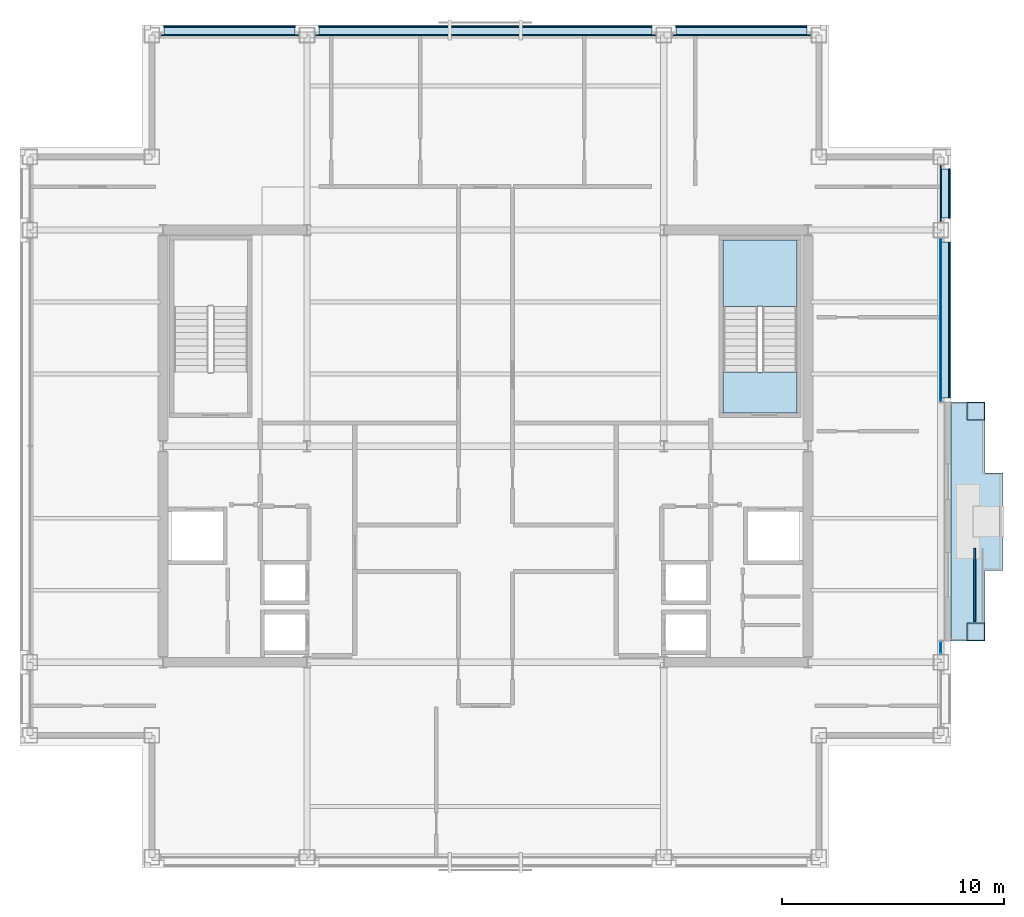
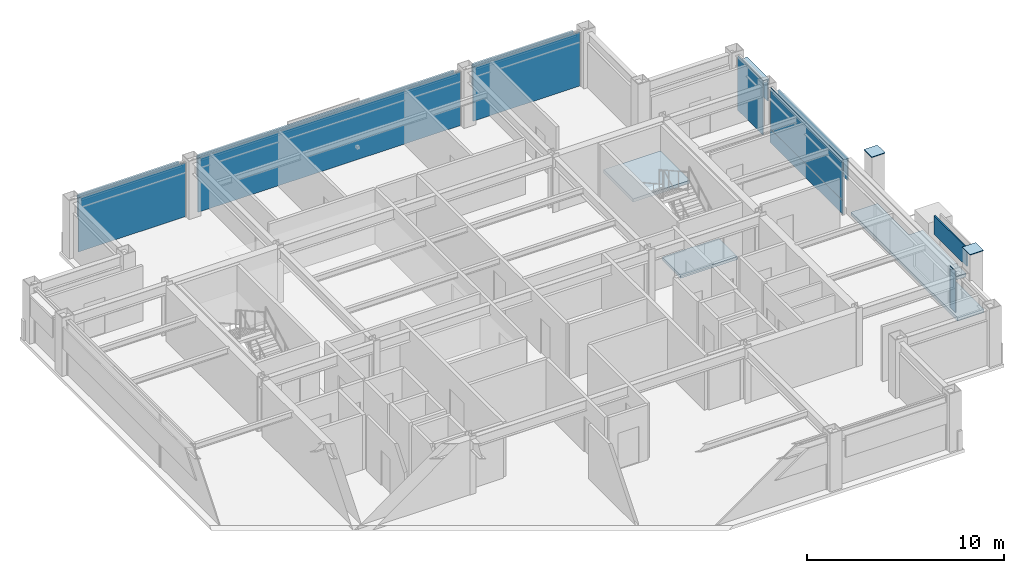
# One storey, part 24 of 30: 20 plates, 3 slabs, 7 elements without a shape of their own.
"""IFC4 building model written with IfcOpenShell, lengths in metres."""

from ifc_helpers import new_model, si_unit, direction, frame, origin, origin_2d, place, context, subcontext, project, spatial, polyline, rectangle, outline, extrude, material, layer, layer_set, type_object, element, aggregate, save


model = new_model("IFC4")

# Units and contexts
model_context = context("Model", 3, precision=1e-05, world=origin(), true_north=direction((0.0, 1.0)))
body_context = subcontext(model_context, "Body", "Model", "MODEL_VIEW")
ifc_project = project(units=[si_unit("LENGTHUNIT", "METRE"), si_unit("AREAUNIT", "SQUARE_METRE"), si_unit("VOLUMEUNIT", "CUBIC_METRE"), si_unit("PLANEANGLEUNIT", "RADIAN"), si_unit("MASSUNIT", "GRAM", prefix="KILO")], contexts=[model_context])

# Site, building, storey
site_placement = place(None, origin())
site = spatial("IfcSite", under=ifc_project, at=site_placement, CompositionType="ELEMENT")
building_placement = place(site_placement, origin())
building = spatial("IfcBuilding", under=site, at=building_placement, Name="Brelmoor Portico Tower", CompositionType="ELEMENT")
storey_placement = place(building_placement, frame((0.0, 0.0, 198.300048828125)))
storey = spatial("IfcBuildingStorey", under=building, at=storey_placement, Name="L52", CompositionType="ELEMENT", Elevation=198.300048828125)

# Plates
ifc_material_1 = material(Name="Steel Q355B", Category="steel")
ifc_layer_1 = layer(ifc_material_1, 0.044921875)
ifc_layer_set_1 = layer_set([ifc_layer_1], Name="Steel Q355B")
plate_type_1 = type_object("IfcPlateType", Name="PT-CAP-650", PredefinedType="SHEET", material=ifc_layer_set_1)
for number, where, z_axis, x_axis, name in (
    (1, (22.1298828125, -8.3798828125, 3.599853515625), (0.0, 0.0, 1.0), (0.0, 1.0, 0.0), "L52 Proud Picture-Frame Pier PFJ-E1 Welded Head Cap Plate"),
    (2, (22.1298828125, 1.580078125, 3.599853515625), (0.0, 0.0, 1.0), (0.0, 1.0, 0.0), "L52 Proud Picture-Frame Pier PFJ-E2 Welded Head Cap Plate"),
):
    element("IfcPlate", number, at=place(storey_placement, frame(where, z_axis=z_axis, x_axis=x_axis)), inside=storey, type_object=plate_type_1, Name=name, PredefinedType="SHEET", context=body_context, shape_type="SweptSolid", body=[
        extrude(rectangle(XDim=0.7900390625, YDim=0.7900390625, at=origin_2d()), origin(), (0.0, 0.0, 1.0), 0.0400390625),
    ])

# Curtain wall, plate
ifc_material_2 = material(Name="Anodised Aluminium Alloy 6063-T6", Category="aluminium")
ifc_layer_2 = layer(ifc_material_2, 0.179931640625)
ifc_layer_set_2 = layer_set([ifc_layer_2], Name="Anodised Aluminium Alloy 6063-T6")
curtain_wall_type_1 = type_object("IfcCurtainWallType", Name="CW-TOWER-Z3", PredefinedType="NOTDEFINED", material=ifc_layer_set_2)
curtain_wall_1_placement = place(storey_placement, origin())
curtain_wall_1 = element("IfcCurtainWall", 3, at=curtain_wall_1_placement, inside=storey, type_object=curtain_wall_type_1, Name="L52 Curtain Wall CW-L52-4L-2", PredefinedType="NOTDEFINED")
ifc_material_3 = material(Name="Double-Silver Low-E Insulated Glazing", Category="glass")
ifc_layer_3 = layer(ifc_material_3, 0.035888671875)
ifc_layer_set_3 = layer_set([ifc_layer_3], Name="Double-Silver Low-E Insulated Glazing")
plate_type_2 = type_object("IfcPlateType", Name="PT-CW-GLASS", PredefinedType="CURTAIN_PANEL", material=ifc_layer_set_3)
plate_1_placement = place(storey_placement, frame((20.550048828125, -9.094970703125, 0.85009765625), z_axis=(0.0, 0.0, 1.0), x_axis=(0.0, 1.0, 0.0)))
plate_1 = element("IfcPlate", 4, at=plate_1_placement, type_object=plate_type_2, Name="CW-L52-4L-2 Vision Glass Panel 00", PredefinedType="CURTAIN_PANEL", context=body_context, shape_type="SweptSolid", body=[
    extrude(rectangle(XDim=0.56005859375, YDim=0.035888671875, at=origin_2d()), origin(), (0.0, 0.0, 1.0), 2.550048828125),
])
aggregate(curtain_wall_1, [plate_1])

curtain_wall_2_placement = place(storey_placement, origin())
curtain_wall_2 = element("IfcCurtainWall", 5, at=curtain_wall_2_placement, inside=storey, type_object=curtain_wall_type_1, Name="L52 Curtain Wall CW-L52-4R-1", PredefinedType="NOTDEFINED")
plate_2_placement = place(storey_placement, frame((20.550048828125, 5.695068359375, 0.85009765625), z_axis=(0.0, 0.0, 1.0), x_axis=(0.0, 1.0, 0.0)))
plate_2 = element("IfcPlate", 6, at=plate_2_placement, type_object=plate_type_2, Name="CW-L52-4R-1 Vision Glass Panel 00", PredefinedType="CURTAIN_PANEL", context=body_context, shape_type="SweptSolid", body=[
    extrude(rectangle(XDim=7.360107421875, YDim=0.035888671875, at=origin_2d()), origin(), (0.0, 0.0, 1.0), 2.550048828125),
])

ifc_layer_4 = layer(ifc_material_2, 0.179931640625)
ifc_layer_set_4 = layer_set([ifc_layer_4], Name="Anodised Aluminium Alloy 6063-T6")
curtain_wall_type_2 = type_object("IfcCurtainWallType", Name="CW-TOWER-Z3-XB", PredefinedType="NOTDEFINED", material=ifc_layer_set_4)
curtain_wall_3_placement = place(storey_placement, origin())
curtain_wall_3 = element("IfcCurtainWall", 7, at=curtain_wall_3_placement, inside=storey, type_object=curtain_wall_type_2, Name="L52 Curtain Wall CW-L52-02-1", PredefinedType="NOTDEFINED")
ifc_material_4 = material(Name="Pale Champagne Anodised Aluminium Panel", Category="aluminium")
ifc_layer_5 = layer(ifc_material_4, 0.050048828125)
ifc_layer_set_5 = layer_set([ifc_layer_5], Name="Pale Champagne Anodised Aluminium Panel")
plate_type_3 = type_object("IfcPlateType", Name="PT-CW-SPANDREL", PredefinedType="SHEET", material=ifc_layer_set_5)
plate_3_placement = place(storey_placement, frame((-11.550048828125, 18.550048828125, 0.0), z_axis=(0.0, 0.0, 1.0), x_axis=(1.0, 0.0, 0.0)))
plate_3 = element("IfcPlate", 8, at=plate_3_placement, type_object=plate_type_3, Name="CW-L52-02-1 Spandrel Panel 00", PredefinedType="SHEET", context=body_context, shape_type="SweptSolid", body=[
    extrude(rectangle(XDim=6.25, YDim=0.050048828125, at=origin_2d()), origin(), (0.0, 0.0, 1.0), 3.33740234375),
])
aggregate(curtain_wall_3, [plate_3])

curtain_wall_4_placement = place(storey_placement, origin())
curtain_wall_4 = element("IfcCurtainWall", 9, at=curtain_wall_4_placement, inside=storey, type_object=curtain_wall_type_2, Name="L52 Curtain Wall CW-L52-02-2", PredefinedType="NOTDEFINED")
plate_4_placement = place(storey_placement, frame((0.0, 18.550048828125, 0.0), z_axis=(0.0, 0.0, 1.0), x_axis=(1.0, 0.0, 0.0)))
plate_4 = element("IfcPlate", 10, at=plate_4_placement, type_object=plate_type_3, Name="CW-L52-02-2 Spandrel Panel 00", PredefinedType="SHEET", context=body_context, shape_type="SweptSolid", body=[
    extrude(rectangle(XDim=15.35009765625, YDim=0.050048828125, at=origin_2d()), origin(), (0.0, 0.0, 1.0), 3.33740234375),
])
aggregate(curtain_wall_4, [plate_4])

curtain_wall_5_placement = place(storey_placement, origin())
curtain_wall_5 = element("IfcCurtainWall", 11, at=curtain_wall_5_placement, inside=storey, type_object=curtain_wall_type_2, Name="L52 Curtain Wall CW-L52-02-3", PredefinedType="NOTDEFINED")
plate_5_placement = place(storey_placement, frame((11.550048828125, 18.550048828125, 0.0), z_axis=(0.0, 0.0, 1.0), x_axis=(1.0, 0.0, 0.0)))
plate_5 = element("IfcPlate", 12, at=plate_5_placement, type_object=plate_type_3, Name="CW-L52-02-3 Spandrel Panel 00", PredefinedType="SHEET", context=body_context, shape_type="SweptSolid", body=[
    extrude(rectangle(XDim=6.25, YDim=0.050048828125, at=origin_2d()), origin(), (0.0, 0.0, 1.0), 3.33740234375),
])
aggregate(curtain_wall_5, [plate_5])

# Plate
plate_6_placement = place(storey_placement, frame((20.550048828125, 5.695068359375, 0.0), z_axis=(0.0, 0.0, 1.0), x_axis=(0.0, 1.0, 0.0)))
plate_6 = element("IfcPlate", 13, at=plate_6_placement, type_object=plate_type_3, Name="CW-L52-4R-1 Spandrel Panel 00", PredefinedType="SHEET", context=body_context, shape_type="SweptSolid", body=[
    extrude(rectangle(XDim=7.360107421875, YDim=0.050048828125, at=origin_2d()), origin(), (0.0, 0.0, 1.0), 0.85009765625),
])

aggregate(curtain_wall_2, [plate_6, plate_2])

# Curtain wall, plate
curtain_wall_6_placement = place(storey_placement, origin())
curtain_wall_6 = element("IfcCurtainWall", 14, at=curtain_wall_6_placement, inside=storey, type_object=curtain_wall_type_2, Name="L52 Curtain Wall CW-L52-4R-2", PredefinedType="NOTDEFINED")
plate_7_placement = place(storey_placement, frame((20.550048828125, 11.39990234375, 0.0), z_axis=(0.0, 0.0, 1.0), x_axis=(0.0, 1.0, 0.0)))
plate_7 = element("IfcPlate", 15, at=plate_7_placement, type_object=plate_type_3, Name="CW-L52-4R-2 Spandrel Panel 00", PredefinedType="SHEET", context=body_context, shape_type="SweptSolid", body=[
    extrude(rectangle(XDim=2.550048828125, YDim=0.050048828125, at=origin_2d()), origin(), (0.0, 0.0, 1.0), 3.33740234375),
])
aggregate(curtain_wall_6, [plate_7])

# Plates
ifc_material_5 = material(Name="Powder-Coated Aluminium Shuttered Jalousie Louvre", Category="aluminium")
ifc_layer_6 = layer(ifc_material_5, 0.06005859375)
ifc_layer_set_6 = layer_set([ifc_layer_6], Name="Powder-Coated Aluminium Shuttered Jalousie Louvre")
plate_type_4 = type_object("IfcPlateType", Name="PT-JALOUSIE-SHUTTER", PredefinedType="SHEET", material=ifc_layer_set_6)
plate_8_placement = place(storey_placement, frame((-11.550048828125, 18.929931640625, 1.8740234375), z_axis=(0.0, 0.0, 1.0), x_axis=(1.0, 0.0, 0.0)))
element("IfcPlate", 16, at=plate_8_placement, inside=storey, type_object=plate_type_4, Name="CW-L52-02-1 Perforated Jalousie Solar Screen", PredefinedType="SHEET", context=body_context, shape_type="SweptSolid", body=[
    extrude(rectangle(XDim=5.919921875, YDim=0.06494140625, at=origin_2d()), origin(), (0.0, 0.0, 1.0), 1.325927734375),
])
plate_9_placement = place(storey_placement, frame((0.0, 18.929931640625, 1.8740234375), z_axis=(0.0, 0.0, 1.0), x_axis=(1.0, 0.0, 0.0)))
element("IfcPlate", 17, at=plate_9_placement, inside=storey, type_object=plate_type_4, Name="CW-L52-02-2 Perforated Jalousie Solar Screen", PredefinedType="SHEET", context=body_context, shape_type="SweptSolid", body=[
    extrude(rectangle(XDim=15.02001953125, YDim=0.06494140625, at=origin_2d()), origin(), (0.0, 0.0, 1.0), 1.325927734375),
])
plate_10_placement = place(storey_placement, frame((11.550048828125, 18.929931640625, 1.8740234375), z_axis=(0.0, 0.0, 1.0), x_axis=(1.0, 0.0, 0.0)))
element("IfcPlate", 18, at=plate_10_placement, inside=storey, type_object=plate_type_4, Name="CW-L52-02-3 Perforated Jalousie Solar Screen", PredefinedType="SHEET", context=body_context, shape_type="SweptSolid", body=[
    extrude(rectangle(XDim=5.919921875, YDim=0.06494140625, at=origin_2d()), origin(), (0.0, 0.0, 1.0), 1.325927734375),
])
plate_11_placement = place(storey_placement, frame((20.929931640625, 5.695068359375, 1.8740234375), z_axis=(0.0, 0.0, 1.0), x_axis=(0.0, 1.0, 0.0)))
element("IfcPlate", 19, at=plate_11_placement, inside=storey, type_object=plate_type_4, Name="CW-L52-4R-1 Perforated Jalousie Solar Screen", PredefinedType="SHEET", context=body_context, shape_type="SweptSolid", body=[
    extrude(rectangle(XDim=7.030029296875, YDim=0.06494140625, at=origin_2d()), origin(), (0.0, 0.0, 1.0), 1.325927734375),
])
plate_12_placement = place(storey_placement, frame((20.929931640625, 11.39990234375, 1.8740234375), z_axis=(0.0, 0.0, 1.0), x_axis=(0.0, 1.0, 0.0)))
element("IfcPlate", 20, at=plate_12_placement, inside=storey, type_object=plate_type_4, Name="CW-L52-4R-2 Perforated Jalousie Solar Screen", PredefinedType="SHEET", context=body_context, shape_type="SweptSolid", body=[
    extrude(rectangle(XDim=2.219970703125, YDim=0.06494140625, at=origin_2d()), origin(), (0.0, 0.0, 1.0), 1.325927734375),
])
plate_13_placement = place(storey_placement, frame((22.080078125, -6.25, 2.27490234375), z_axis=(0.0, 0.0, 1.0), x_axis=(0.0, 1.0, 0.0)))
element("IfcPlate", 21, at=plate_13_placement, inside=storey, type_object=plate_type_4, Name="L52 Shuttered Veranda Screen E", PredefinedType="SHEET", context=body_context, shape_type="SweptSolid", body=[
    extrude(rectangle(XDim=3.300048828125, YDim=0.080078125, at=origin_2d()), origin(), (0.0, 0.0, 1.0), 1.14990234375),
])
ifc_material_6 = material(Name="Pale Champagne Perforated Aluminium Solar Screen", Category="aluminium")
ifc_layer_7 = layer(ifc_material_6, 0.054931640625)
ifc_layer_set_7 = layer_set([ifc_layer_7], Name="Pale Champagne Perforated Aluminium Solar Screen")
plate_type_5 = type_object("IfcPlateType", Name="PT-SOLAR-LOUVRE", PredefinedType="SHEET", material=ifc_layer_set_7)
plate_14_placement = place(storey_placement, frame((-11.550048828125, 18.760009765625, 3.08984375), z_axis=(0.0, 0.0, 1.0), x_axis=(1.0, 0.0, 0.0)))
element("IfcPlate", 22, at=plate_14_placement, inside=storey, type_object=plate_type_5, Name="CW-L52-02-1 Caribbean Brise-Soleil Solar Screen", PredefinedType="SHEET", context=body_context, shape_type="SweptSolid", body=[
    extrude(rectangle(XDim=5.919921875, YDim=0.4599609375, at=origin_2d()), origin(), (0.0, 0.0, 1.0), 0.139892578125),
])
plate_15_placement = place(storey_placement, frame((0.0, 18.760009765625, 3.08984375), z_axis=(0.0, 0.0, 1.0), x_axis=(1.0, 0.0, 0.0)))
element("IfcPlate", 23, at=plate_15_placement, inside=storey, type_object=plate_type_5, Name="CW-L52-02-2 Caribbean Brise-Soleil Solar Screen", PredefinedType="SHEET", context=body_context, shape_type="SweptSolid", body=[
    extrude(rectangle(XDim=15.02001953125, YDim=0.4599609375, at=origin_2d()), origin(), (0.0, 0.0, 1.0), 0.139892578125),
])
plate_16_placement = place(storey_placement, frame((11.550048828125, 18.760009765625, 3.08984375), z_axis=(0.0, 0.0, 1.0), x_axis=(1.0, 0.0, 0.0)))
element("IfcPlate", 24, at=plate_16_placement, inside=storey, type_object=plate_type_5, Name="CW-L52-02-3 Caribbean Brise-Soleil Solar Screen", PredefinedType="SHEET", context=body_context, shape_type="SweptSolid", body=[
    extrude(rectangle(XDim=5.919921875, YDim=0.4599609375, at=origin_2d()), origin(), (0.0, 0.0, 1.0), 0.139892578125),
])
plate_17_placement = place(storey_placement, frame((20.760009765625, 5.695068359375, 3.08984375), z_axis=(0.0, 0.0, 1.0), x_axis=(0.0, 1.0, 0.0)))
element("IfcPlate", 25, at=plate_17_placement, inside=storey, type_object=plate_type_5, Name="CW-L52-4R-1 Caribbean Brise-Soleil Solar Screen", PredefinedType="SHEET", context=body_context, shape_type="SweptSolid", body=[
    extrude(rectangle(XDim=7.030029296875, YDim=0.4599609375, at=origin_2d()), origin(), (0.0, 0.0, 1.0), 0.139892578125),
])
plate_18_placement = place(storey_placement, frame((20.760009765625, 11.39990234375, 3.08984375), z_axis=(0.0, 0.0, 1.0), x_axis=(0.0, 1.0, 0.0)))
element("IfcPlate", 26, at=plate_18_placement, inside=storey, type_object=plate_type_5, Name="CW-L52-4R-2 Caribbean Brise-Soleil Solar Screen", PredefinedType="SHEET", context=body_context, shape_type="SweptSolid", body=[
    extrude(rectangle(XDim=2.219970703125, YDim=0.4599609375, at=origin_2d()), origin(), (0.0, 0.0, 1.0), 0.139892578125),
])

# Slab
ifc_material_7 = material(Name="Concrete C40", Category="concrete")
ifc_layer_8 = layer(ifc_material_7, 0.199951171875)
ifc_layer_set_8 = layer_set([ifc_layer_8], Name="Concrete C40")
slab_type_1 = type_object("IfcSlabType", Name="SL-BALCONY-200", PredefinedType="FLOOR", material=ifc_layer_set_8)
slab_1_placement = place(storey_placement, frame((0.0, 0.0, -0.199951171875)))
element("IfcSlab", 27, at=slab_1_placement, inside=storey, type_object=slab_type_1, Name="L52 Loggia Tree Balcony Slab E", PredefinedType="FLOOR", context=body_context, shape_type="SweptSolid", body=[
    extrude(outline(polyline([(21.0, -8.800048828125), (22.550048828125, -8.800048828125), (22.550048828125, -5.60009765625), (23.35009765625, -5.60009765625), (23.35009765625, -1.199951171875), (22.550048828125, -1.199951171875), (22.550048828125, 2.0), (21.0, 2.0), (21.0, -8.800048828125)])), origin(), (0.0, 0.0, 1.0), 0.199951171875),
])

# Stair, slab
stair_type = type_object("IfcStairType", Name="ST-CORE-E", PredefinedType="HALF_TURN_STAIR", material=ifc_material_7)
stair_placement = place(storey_placement, origin())
stair = element("IfcStair", 28, at=stair_placement, inside=storey, type_object=stair_type, Name="L52 Protected Core Exit Stair ST-E", PredefinedType="HALF_TURN_STAIR")
ifc_layer_9 = layer(ifc_material_7, 0.179931640625)
ifc_layer_set_9 = layer_set([ifc_layer_9], Name="Concrete C40")
slab_type_2 = type_object("IfcSlabType", Name="SL-LANDING-180", PredefinedType="LANDING", material=ifc_layer_set_9)
slab_2_placement = place(storey_placement, frame((0.0, 0.0, 1.599853515625)))
slab_2 = element("IfcSlab", 29, at=slab_2_placement, type_object=slab_type_2, Name="ST-E landing 1", PredefinedType="LANDING", context=body_context, shape_type="SweptSolid", body=[
    extrude(outline(polyline([(14.050048828125, 6.300048828125), (14.050048828125, 9.300048828125), (10.72998046875, 9.300048828125), (10.72998046875, 6.300048828125), (14.050048828125, 6.300048828125)])), origin(), (0.0, 0.0, 1.0), 0.2001953125),
])
aggregate(stair, [slab_2])

# Slab
ifc_layer_10 = layer(ifc_material_7, 0.199951171875)
ifc_layer_set_10 = layer_set([ifc_layer_10], Name="Concrete C40")
slab_type_3 = type_object("IfcSlabType", Name="SL-STAIR-FL200", PredefinedType="LANDING", material=ifc_layer_set_10)
slab_3_placement = place(storey_placement, frame((0.0, 0.0, -0.199951171875)))
element("IfcSlab", 30, at=slab_3_placement, inside=storey, type_object=slab_type_3, Name="L52 ST-E Structural Floor Landing Slab", PredefinedType="LANDING", context=body_context, shape_type="SweptSolid", body=[
    extrude(outline(polyline([(14.050048828125, 1.5), (14.050048828125, 3.35009765625), (10.72998046875, 3.35009765625), (10.72998046875, 1.5), (14.050048828125, 1.5)])), origin(), (0.0, 0.0, 1.0), 0.199951171875),
])

save(model, "model.ifc")
